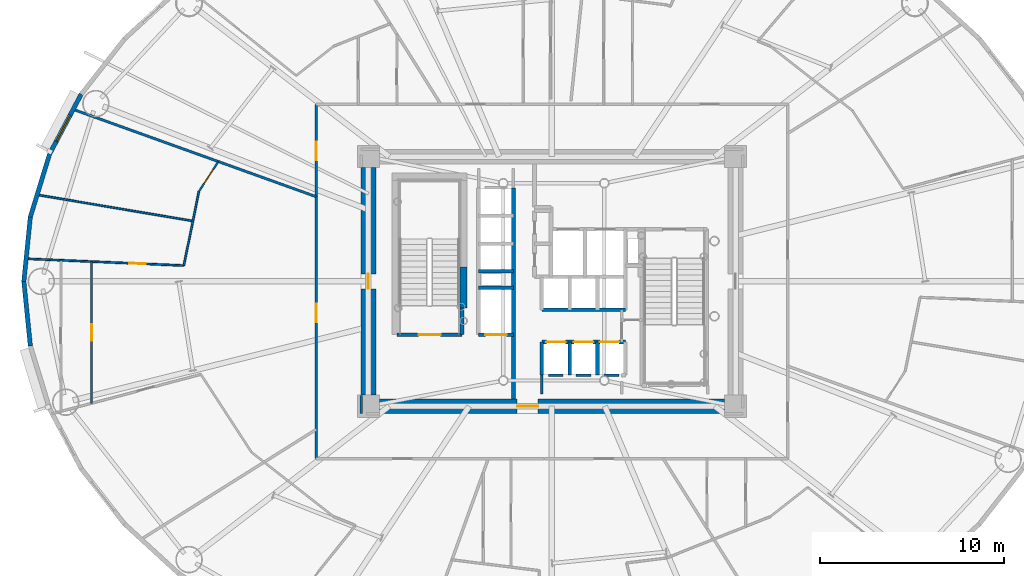
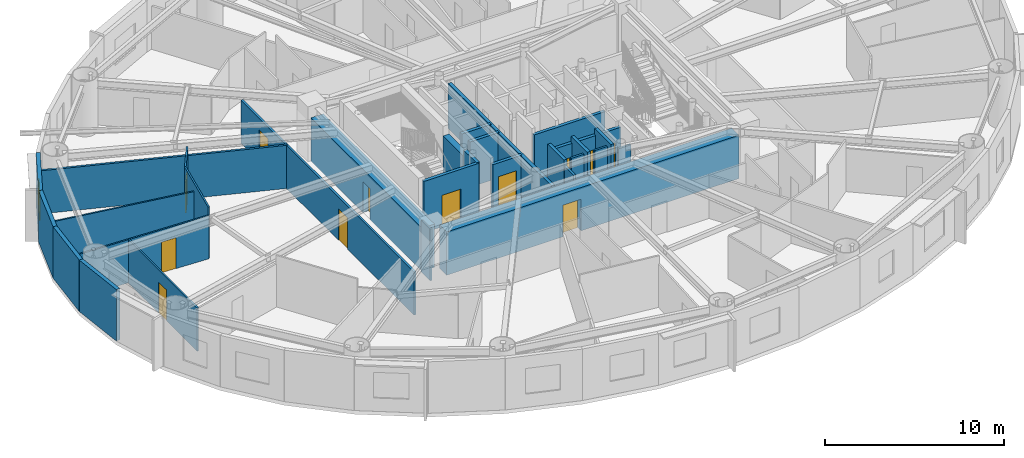
# One storey, part 11 of 21: 30 walls, 12 doors, 1 window, 13 openings.
"""IFC4 building model written with IfcOpenShell, lengths in metres."""

from ifc_helpers import new_model, si_unit, direction, frame, frame_2d, origin, origin_2d, place, context, subcontext, project, spatial, rectangle, extrude, source, transform, mapped, material, layer, layer_set, type_object, element, fill, save


model = new_model("IFC4")

# Units and contexts
model_context = context("Model", 3, precision=1e-05, world=origin(), true_north=direction((0.0, 1.0)))
body_context = subcontext(model_context, "Body", "Model", "MODEL_VIEW")
ifc_project = project(units=[si_unit("LENGTHUNIT", "METRE"), si_unit("AREAUNIT", "SQUARE_METRE"), si_unit("VOLUMEUNIT", "CUBIC_METRE"), si_unit("PLANEANGLEUNIT", "RADIAN"), si_unit("MASSUNIT", "GRAM", prefix="KILO")], contexts=[model_context])

# Site, building, storey
site_placement = place(None, origin())
site = spatial("IfcSite", under=ifc_project, at=site_placement, CompositionType="ELEMENT")
building_placement = place(site_placement, origin())
building = spatial("IfcBuilding", under=site, at=building_placement, Name="Linh Dai School and Residence Tower", CompositionType="ELEMENT")
storey_placement = place(building_placement, frame((0.0, 0.0, 115.949951171875)))
storey = spatial("IfcBuildingStorey", under=building, at=storey_placement, Name="L27", CompositionType="ELEMENT", Elevation=115.949951171875)

# Wall, opening, window
ifc_material_1 = material(Name="Precast Concrete B45 (C35/45)", Category="concrete")
ifc_layer_1 = layer(ifc_material_1, 0.239990234375)
ifc_layer_set_1 = layer_set([ifc_layer_1], Name="Precast Concrete B45 (C35/45)")
wall_type_1 = type_object("IfcWallType", Name="EW-TC-240", PredefinedType="SOLIDWALL", material=ifc_layer_set_1)
wall_1_placement = place(storey_placement, frame((8.6298828125, 33.945068359375, 0.0), z_axis=(0.0, 0.0, 1.0), x_axis=(0.467614004126, 0.883932770716, 0.0)))
wall_1 = element("IfcWall", 1, at=wall_1_placement, inside=storey, type_object=wall_type_1, Name="L27 Terracotta Exterior Wall 18", PredefinedType="SOLIDWALL", context=body_context, shape_type="SweptSolid", body=[
    extrude(rectangle(XDim=3.688720703125, YDim=0.239990234375, at=frame_2d((1.84423828125, 0.0))), origin(), (0.0, 0.0, 1.0), 3.5),
])
opening_1_placement = place(wall_1_placement, frame((0.778076171875, 0.0, 0.89990234375)))
opening_1 = element("IfcOpeningElement", 2, at=opening_1_placement, cuts=wall_1, Name="Opening W2", PredefinedType="OPENING", context=body_context, shape_type="SweptSolid", body=[
    extrude(rectangle(XDim=1.60009765625, YDim=1.75, at=origin_2d()), frame((0.800048828125, 0.1298828125, 0.875), z_axis=(0.0, -1.0, 0.0), x_axis=(1.0, 0.0, 0.0)), (0.0, 0.0, 1.0), 0.260009765625),
])
ifc_material_2 = material(Name="Double Low-E Insulated Glazing", Category="glass")
window_type = type_object("IfcWindowType", Name="WN-RES-1600x1750", PartitioningType="DOUBLE_PANEL_VERTICAL", PredefinedType="WINDOW", material=ifc_material_2)
shared_shape_1 = source(origin(), body_context, "Body", "SweptSolid", [
    extrude(rectangle(XDim=1.60009765625, YDim=1.75, at=origin_2d()), frame((0.800048828125, 0.030029296875, 0.875), z_axis=(0.0, -1.0, 0.0), x_axis=(1.0, 0.0, 0.0)), (0.0, 0.0, 1.0), 0.06005859375),
])
window_placement = place(opening_1_placement, origin())
window = element("IfcWindow", 3, at=window_placement, inside=storey, type_object=window_type, Name="L27 Exterior Window 18.1", OverallHeight=1.75, OverallWidth=1.60009765625, PartitioningType="DOUBLE_PANEL_VERTICAL", PredefinedType="WINDOW", context=body_context, shape_type="MappedRepresentation", body=[
    mapped(shared_shape_1, transform((0.0, 0.0, 0.0), x_axis=(1.0, 0.0, 0.0), y_axis=(0.0, 1.0, 0.0), z_axis=(0.0, 0.0, 1.0), scale=1.0)),
])
fill(opening_1, window)

# Walls
wall_2_placement = place(storey_placement, frame((7.578369140625, 30.515380859375, 0.0), z_axis=(0.0, 0.0, 1.0), x_axis=(0.293124431344, 0.956074300329, 0.0)))
element("IfcWall", 4, at=wall_2_placement, inside=storey, type_object=wall_type_1, Name="L27 Terracotta Exterior Wall 19", PredefinedType="SOLIDWALL", context=body_context, shape_type="SweptSolid", body=[
    extrude(rectangle(XDim=3.587158203125, YDim=0.239990234375, at=frame_2d((1.79345703125, 0.0))), origin(), (0.0, 0.0, 1.0), 3.5),
])
for number, where, z_axis, x_axis, name in (
    (5, (7.22509765625, 27.0, 0.0), (0.0, 0.0, 1.0), (0.099989468229, 0.994988495533, 0.0), "L27 Terracotta Exterior Wall 20"),
    (6, (7.578369140625, 23.484619140625, 0.0), (0.0, 0.0, 1.0), (-0.099989468229, 0.994988495533, 0.0), "L27 Terracotta Exterior Wall 21"),
):
    element("IfcWall", number, at=place(storey_placement, frame(where, z_axis=z_axis, x_axis=x_axis)), inside=storey, type_object=wall_type_1, Name=name, PredefinedType="SOLIDWALL", context=body_context, shape_type="SweptSolid", body=[
        extrude(rectangle(XDim=3.533203125, YDim=0.239990234375, at=frame_2d((1.7666015625, 0.0))), origin(), (0.0, 0.0, 1.0), 3.5),
    ])
ifc_material_3 = material(Name="Autoclaved Aerated Concrete Blockwork", Category="masonry")
ifc_layer_2 = layer(ifc_material_3, 0.135009765625)
ifc_layer_set_2 = layer_set([ifc_layer_2], Name="Autoclaved Aerated Concrete Blockwork")
wall_type_2 = type_object("IfcWallType", Name="IW-CORR-135-EI90", PredefinedType="PARTITIONING", material=ifc_layer_set_2)
wall_3_placement = place(storey_placement, frame((9.90966796875, 36.375, 0.0), z_axis=(0.0, 0.0, 1.0), x_axis=(0.941089213164, -0.338158384292, 0.0)))
element("IfcWall", 7, at=wall_3_placement, inside=storey, type_object=wall_type_2, Name="L27 Interior Partition Wall 005", PredefinedType="PARTITIONING", context=body_context, shape_type="SweptSolid", body=[
    extrude(rectangle(XDim=14.069091796875, YDim=0.135009765625, at=frame_2d((7.03466796875, 0.0))), origin(), (0.0, 0.0, 1.0), 2.93505859375),
])

# Wall, openings, doors
wall_4_placement = place(storey_placement, frame((23.14990234375, 17.35009765625, 0.0), z_axis=(0.0, 0.0, 1.0), x_axis=(0.0, 1.0, 0.0)))
wall_4 = element("IfcWall", 8, at=wall_4_placement, inside=storey, type_object=wall_type_2, Name="L27 Interior Partition Wall 017", PredefinedType="PARTITIONING", context=body_context, shape_type="SweptSolid", body=[
    extrude(rectangle(XDim=19.2998046875, YDim=0.135009765625, at=frame_2d((9.64990234375, 0.0))), origin(), (0.0, 0.0, 1.0), 2.93505859375),
])
opening_2_placement = place(wall_4_placement, frame((16.263671875, 0.0, 0.0)))
opening_2 = element("IfcOpeningElement", 9, at=opening_2_placement, cuts=wall_4, Name="Opening D03", PredefinedType="OPENING", context=body_context, shape_type="SweptSolid", body=[
    extrude(rectangle(XDim=1.0, YDim=2.14990234375, at=origin_2d()), frame((0.5, 0.07763671875, 1.074951171875), z_axis=(0.0, -1.0, 0.0), x_axis=(1.0, 0.0, 0.0)), (0.0, 0.0, 1.0), 0.155029296875),
])
opening_3_placement = place(wall_4_placement, frame((7.425537109375, 0.0, 0.0)))
opening_3 = element("IfcOpeningElement", 10, at=opening_3_placement, cuts=wall_4, Name="Opening D03", PredefinedType="OPENING", context=body_context, shape_type="SweptSolid", body=[
    extrude(rectangle(XDim=1.0, YDim=2.14990234375, at=origin_2d()), frame((0.5, 0.07763671875, 1.074951171875), z_axis=(0.0, -1.0, 0.0), x_axis=(1.0, 0.0, 0.0)), (0.0, 0.0, 1.0), 0.155029296875),
])
ifc_material_4 = material(Name="Fire-Rated Solid Timber Entrance Door", Category="wood")
door_type_1 = type_object("IfcDoorType", Name="DR-FLAT-1000x2150-FD60S", OperationType="NOTDEFINED", PredefinedType="DOOR", material=ifc_material_4)
shared_shape_2 = source(origin(), body_context, "Body", "SweptSolid", [
    extrude(rectangle(XDim=1.0, YDim=2.14990234375, at=origin_2d()), frame((0.5, 0.02490234375, 1.074951171875), z_axis=(0.0, -1.0, 0.0), x_axis=(1.0, 0.0, 0.0)), (0.0, 0.0, 1.0), 0.050048828125),
])
door_1_placement = place(opening_2_placement, origin())
door_1 = element("IfcDoor", 11, at=door_1_placement, inside=storey, type_object=door_type_1, Name="L27 U2702 Apartment Entrance Door", OperationType="SINGLE_SWING_RIGHT", OverallHeight=2.14990234375, OverallWidth=1.0, PredefinedType="DOOR", context=body_context, shape_type="MappedRepresentation", body=[
    mapped(shared_shape_2, transform((0.0, 0.0, 0.0), x_axis=(1.0, 0.0, 0.0), y_axis=(0.0, 1.0, 0.0), z_axis=(0.0, 0.0, 1.0), scale=1.0)),
])
fill(opening_2, door_1)
door_2_placement = place(opening_3_placement, origin())
door_2 = element("IfcDoor", 12, at=door_2_placement, inside=storey, type_object=door_type_1, Name="L27 U2703 Apartment Entrance Door", OperationType="SINGLE_SWING_RIGHT", OverallHeight=2.14990234375, OverallWidth=1.0, PredefinedType="DOOR", context=body_context, shape_type="MappedRepresentation", body=[
    mapped(shared_shape_2, transform((0.0, 0.0, 0.0), x_axis=(1.0, 0.0, 0.0), y_axis=(0.0, 1.0, 0.0), z_axis=(0.0, 0.0, 1.0), scale=1.0)),
])
fill(opening_3, door_2)

# Walls
wall_5_placement = place(storey_placement, frame((36.60009765625, 21.89990234375, 0.0), z_axis=(0.0, 0.0, 1.0), x_axis=(-1.0, 0.0, 0.0)))
element("IfcWall", 13, at=wall_5_placement, inside=storey, type_object=wall_type_2, Name="L27 Interior Partition Wall 100", PredefinedType="PARTITIONING", context=body_context, shape_type="SweptSolid", body=[
    extrude(rectangle(XDim=0.7900390625, YDim=0.135009765625, at=frame_2d((0.39501953125, 0.0))), origin(), (0.0, 0.0, 1.0), 3.5),
])
wall_6_placement = place(storey_placement, frame((38.1201171875, 21.89990234375, 0.0), z_axis=(0.0, 0.0, 1.0), x_axis=(-1.0, 0.0, 0.0)))
element("IfcWall", 14, at=wall_6_placement, inside=storey, type_object=wall_type_2, Name="L27 Interior Partition Wall 101", PredefinedType="PARTITIONING", context=body_context, shape_type="SweptSolid", body=[
    extrude(rectangle(XDim=0.800048828125, YDim=0.135009765625, at=frame_2d((0.39990234375, 0.0))), origin(), (0.0, 0.0, 1.0), 3.5),
])
wall_7_placement = place(storey_placement, frame((39.639892578125, 21.89990234375, 0.0), z_axis=(0.0, 0.0, 1.0), x_axis=(-1.0, 0.0, 0.0)))
element("IfcWall", 15, at=wall_7_placement, inside=storey, type_object=wall_type_2, Name="L27 Interior Partition Wall 102", PredefinedType="PARTITIONING", context=body_context, shape_type="SweptSolid", body=[
    extrude(rectangle(XDim=0.7998046875, YDim=0.135009765625, at=frame_2d((0.39990234375, 0.0))), origin(), (0.0, 0.0, 1.0), 3.0849609375),
])
wall_8_placement = place(storey_placement, frame((35.449951171875, 21.889892578125, 0.0), z_axis=(0.0, 0.0, 1.0), x_axis=(0.0, -1.0, 0.0)))
element("IfcWall", 16, at=wall_8_placement, inside=storey, type_object=wall_type_2, Name="L27 Interior Partition Wall 107", PredefinedType="PARTITIONING", context=body_context, shape_type="SweptSolid", body=[
    extrude(rectangle(XDim=1.02978515625, YDim=0.135009765625, at=frame_2d((0.514892578125, 0.0))), origin(), (0.0, 0.0, 1.0), 3.0849609375),
])
wall_9_placement = place(storey_placement, frame((25.60009765625, 20.7900390625, 0.0), z_axis=(0.0, 0.0, 1.0), x_axis=(0.0, -1.0, 0.0)))
element("IfcWall", 17, at=wall_9_placement, inside=storey, type_object=wall_type_2, Name="L27 Interior Partition Wall 114", PredefinedType="PARTITIONING", context=body_context, shape_type="SweptSolid", body=[
    extrude(rectangle(XDim=0.989990234375, YDim=0.135009765625, at=frame_2d((0.4951171875, 0.0))), origin(), (0.0, 0.0, 1.0), 3.5),
])

# Wall, opening, door
ifc_material_5 = material(Name="Concrete B45 (C35/45)", Category="concrete")
ifc_layer_3 = layer(ifc_material_5, 0.199951171875)
ifc_layer_set_3 = layer_set([ifc_layer_3], Name="Concrete B45 (C35/45)")
wall_type_3 = type_object("IfcWallType", Name="IW-SHAFT-200-EI120", PredefinedType="PARTITIONING", material=ifc_layer_set_3)
wall_10_placement = place(storey_placement, frame((27.56005859375, 24.10009765625, 0.0), z_axis=(0.0, 0.0, 1.0), x_axis=(1.0, 0.0, 0.0)))
wall_10 = element("IfcWall", 18, at=wall_10_placement, inside=storey, type_object=wall_type_3, Name="L27 Interior Partition Wall 025", PredefinedType="PARTITIONING", context=body_context, shape_type="SweptSolid", body=[
    extrude(rectangle(XDim=3.5400390625, YDim=0.199951171875, at=frame_2d((1.77001953125, 0.0))), origin(), (0.0, 0.0, 1.0), 3.5),
])
opening_4_placement = place(wall_10_placement, frame((1.169921875, 0.0, 0.0)))
opening_4 = element("IfcOpeningElement", 19, at=opening_4_placement, cuts=wall_10, Name="Opening D01", PredefinedType="OPENING", context=body_context, shape_type="SweptSolid", body=[
    extrude(rectangle(XDim=1.199951171875, YDim=2.14990234375, at=origin_2d()), frame((0.60009765625, 0.10986328125, 1.074951171875), z_axis=(0.0, -1.0, 0.0), x_axis=(1.0, 0.0, 0.0)), (0.0, 0.0, 1.0), 0.219970703125),
])
ifc_material_6 = material(Name="Fire-Rated Steel Door Leaf", Category="steel")
door_type_2 = type_object("IfcDoorType", Name="DR-STAIR-1200x2150-FD90S", OperationType="NOTDEFINED", PredefinedType="DOOR", material=ifc_material_6)
shared_shape_3 = source(origin(), body_context, "Body", "SweptSolid", [
    extrude(rectangle(XDim=1.199951171875, YDim=2.14990234375, at=origin_2d()), frame((0.60009765625, 0.02490234375, 1.074951171875), z_axis=(0.0, -1.0, 0.0), x_axis=(1.0, 0.0, 0.0)), (0.0, 0.0, 1.0), 0.050048828125),
])
door_3_placement = place(opening_4_placement, origin())
door_3 = element("IfcDoor", 20, at=door_3_placement, inside=storey, type_object=door_type_2, Name="L27 Core Smokeproof Exit Stair ST1 Door", OperationType="SINGLE_SWING_RIGHT", OverallHeight=2.14990234375, OverallWidth=1.199951171875, PredefinedType="DOOR", context=body_context, shape_type="MappedRepresentation", body=[
    mapped(shared_shape_3, transform((0.0, 0.0, 0.0), x_axis=(1.0, 0.0, 0.0), y_axis=(0.0, 1.0, 0.0), z_axis=(0.0, 0.0, 1.0), scale=1.0)),
])
fill(opening_4, door_3)

# Wall
wall_11_placement = place(storey_placement, frame((31.10009765625, 24.10009765625, 0.0), z_axis=(0.0, 0.0, 1.0), x_axis=(0.0, 1.0, 0.0)))
element("IfcWall", 21, at=wall_11_placement, inside=storey, type_object=wall_type_3, Name="L27 Interior Partition Wall 029", PredefinedType="PARTITIONING", context=body_context, shape_type="SweptSolid", body=[
    extrude(rectangle(XDim=1.43994140625, YDim=0.199951171875, at=frame_2d((0.719970703125, 0.0))), origin(), (0.0, 0.0, 1.0), 3.5),
])

# Wall, opening, door
wall_12_placement = place(storey_placement, frame((32.0, 24.10009765625, 0.0), z_axis=(0.0, 0.0, 1.0), x_axis=(1.0, 0.0, 0.0)))
wall_12 = element("IfcWall", 22, at=wall_12_placement, inside=storey, type_object=wall_type_3, Name="L27 Interior Partition Wall 031", PredefinedType="PARTITIONING", context=body_context, shape_type="SweptSolid", body=[
    extrude(rectangle(XDim=1.89990234375, YDim=0.199951171875, at=frame_2d((0.949951171875, 0.0))), origin(), (0.0, 0.0, 1.0), 3.0849609375),
])
opening_5_placement = place(wall_12_placement, frame((0.375, 0.0, 0.0)))
opening_5 = element("IfcOpeningElement", 23, at=opening_5_placement, cuts=wall_12, Name="Opening LD-FF2", PredefinedType="OPENING", context=body_context, shape_type="SweptSolid", body=[
    extrude(rectangle(XDim=1.14990234375, YDim=2.14990234375, at=origin_2d()), frame((0.574951171875, 0.10986328125, 1.074951171875), z_axis=(0.0, -1.0, 0.0), x_axis=(1.0, 0.0, 0.0)), (0.0, 0.0, 1.0), 0.219970703125),
])
ifc_material_7 = material(Name="Fire-Rated Stainless Steel Firefighting Lift Door", Category="steel")
door_type_3 = type_object("IfcDoorType", Name="DR-LD-FF-1150x2150-FD120", OperationType="DOUBLE_DOOR_SLIDING", PredefinedType="USERDEFINED", material=ifc_material_7)
shared_shape_4 = source(origin(), body_context, "Body", "SweptSolid", [
    extrude(rectangle(XDim=1.14990234375, YDim=2.14990234375, at=origin_2d()), frame((0.574951171875, 0.02490234375, 1.074951171875), z_axis=(0.0, -1.0, 0.0), x_axis=(1.0, 0.0, 0.0)), (0.0, 0.0, 1.0), 0.050048828125),
])
door_4_placement = place(opening_5_placement, origin())
door_4 = element("IfcDoor", 24, at=door_4_placement, inside=storey, type_object=door_type_3, Name="L27 Lift FF2 Sliding Landing Door", ObjectType="LANDING DOOR", OperationType="DOUBLE_DOOR_SLIDING", OverallHeight=2.14990234375, OverallWidth=1.14990234375, PredefinedType="USERDEFINED", context=body_context, shape_type="MappedRepresentation", body=[
    mapped(shared_shape_4, transform((0.0, 0.0, 0.0), x_axis=(1.0, 0.0, 0.0), y_axis=(0.0, 1.0, 0.0), z_axis=(0.0, 0.0, 1.0), scale=1.0)),
])
fill(opening_5, door_4)

# Walls
for number, where, z_axis, x_axis, name in (
    (25, (32.0, 26.64990234375, 0.0), (0.0, 0.0, 1.0), (1.0, 0.0, 0.0), "L27 Interior Partition Wall 032"),
    (26, (32.0, 27.550048828125, 0.0), (0.0, 0.0, 1.0), (1.0, 0.0, 0.0), "L27 Interior Partition Wall 033"),
):
    element("IfcWall", number, at=place(storey_placement, frame(where, z_axis=z_axis, x_axis=x_axis)), inside=storey, type_object=wall_type_3, Name=name, PredefinedType="PARTITIONING", context=body_context, shape_type="SweptSolid", body=[
        extrude(rectangle(XDim=1.89990234375, YDim=0.199951171875, at=frame_2d((0.949951171875, 0.0))), origin(), (0.0, 0.0, 1.0), 3.0849609375),
    ])
wall_13_placement = place(storey_placement, frame((33.89990234375, 20.60009765625, 0.0), z_axis=(0.0, 0.0, 1.0), x_axis=(0.0, 1.0, 0.0)))
element("IfcWall", 27, at=wall_13_placement, inside=storey, type_object=wall_type_3, Name="L27 Interior Partition Wall 039", PredefinedType="PARTITIONING", context=body_context, shape_type="SweptSolid", body=[
    extrude(rectangle(XDim=11.5, YDim=0.199951171875, at=frame_2d((5.75, 0.0))), origin(), (0.0, 0.0, 1.0), 3.0849609375),
])
wall_14_placement = place(storey_placement, frame((35.449951171875, 21.89990234375, 0.0), z_axis=(0.0, 0.0, 1.0), x_axis=(0.0, 1.0, 0.0)))
element("IfcWall", 28, at=wall_14_placement, inside=storey, type_object=wall_type_3, Name="L27 Interior Partition Wall 048", PredefinedType="PARTITIONING", context=body_context, shape_type="SweptSolid", body=[
    extrude(rectangle(XDim=1.800048828125, YDim=0.199951171875, at=frame_2d((0.89990234375, 0.0))), origin(), (0.0, 0.0, 1.0), 3.5),
])

# Wall, openings, doors
wall_15_placement = place(storey_placement, frame((35.449951171875, 23.699951171875, 0.0), z_axis=(0.0, 0.0, 1.0), x_axis=(1.0, 0.0, 0.0)))
wall_15 = element("IfcWall", 29, at=wall_15_placement, inside=storey, type_object=wall_type_3, Name="L27 Interior Partition Wall 049", PredefinedType="PARTITIONING", context=body_context, shape_type="SweptSolid", body=[
    extrude(rectangle(XDim=4.550048828125, YDim=0.199951171875, at=frame_2d((2.27490234375, 0.0))), origin(), (0.0, 0.0, 1.0), 3.0849609375),
])
opening_6_placement = place(wall_15_placement, frame((0.25, 0.0, 0.0)))
opening_6 = element("IfcOpeningElement", 30, at=opening_6_placement, cuts=wall_15, Name="Opening LD-PL1", PredefinedType="OPENING", context=body_context, shape_type="SweptSolid", body=[
    extrude(rectangle(XDim=1.050048828125, YDim=2.14990234375, at=origin_2d()), frame((0.52490234375, 0.10986328125, 1.074951171875), z_axis=(0.0, -1.0, 0.0), x_axis=(1.0, 0.0, 0.0)), (0.0, 0.0, 1.0), 0.219970703125),
])
opening_7_placement = place(wall_15_placement, frame((1.7451171875, 0.0, 0.0)))
opening_7 = element("IfcOpeningElement", 31, at=opening_7_placement, cuts=wall_15, Name="Opening LD-PL2", PredefinedType="OPENING", context=body_context, shape_type="SweptSolid", body=[
    extrude(rectangle(XDim=1.050048828125, YDim=2.14990234375, at=origin_2d()), frame((0.52490234375, 0.10986328125, 1.074951171875), z_axis=(0.0, -1.0, 0.0), x_axis=(1.0, 0.0, 0.0)), (0.0, 0.0, 1.0), 0.219970703125),
])
opening_8_placement = place(wall_15_placement, frame((3.1650390625, 0.0, 0.0)))
opening_8 = element("IfcOpeningElement", 32, at=opening_8_placement, cuts=wall_15, Name="Opening LD-PL3", PredefinedType="OPENING", context=body_context, shape_type="SweptSolid", body=[
    extrude(rectangle(XDim=1.050048828125, YDim=2.14990234375, at=origin_2d()), frame((0.52490234375, 0.10986328125, 1.074951171875), z_axis=(0.0, -1.0, 0.0), x_axis=(1.0, 0.0, 0.0)), (0.0, 0.0, 1.0), 0.219970703125),
])
ifc_material_8 = material(Name="Brushed Stainless Steel Lift Landing Door", Category="steel")
door_type_4 = type_object("IfcDoorType", Name="DR-LD-PASS-1050x2150", OperationType="DOUBLE_DOOR_SLIDING", PredefinedType="USERDEFINED", material=ifc_material_8)
shared_shape_5 = source(origin(), body_context, "Body", "SweptSolid", [
    extrude(rectangle(XDim=1.050048828125, YDim=2.14990234375, at=origin_2d()), frame((0.52490234375, 0.02490234375, 1.074951171875), z_axis=(0.0, -1.0, 0.0), x_axis=(1.0, 0.0, 0.0)), (0.0, 0.0, 1.0), 0.050048828125),
])
door_5_placement = place(opening_6_placement, origin())
door_5 = element("IfcDoor", 33, at=door_5_placement, inside=storey, type_object=door_type_4, Name="L27 Lift PL1 Sliding Landing Door", ObjectType="LANDING DOOR", OperationType="DOUBLE_DOOR_SLIDING", OverallHeight=2.14990234375, OverallWidth=1.050048828125, PredefinedType="USERDEFINED", context=body_context, shape_type="MappedRepresentation", body=[
    mapped(shared_shape_5, transform((0.0, 0.0, 0.0), x_axis=(1.0, 0.0, 0.0), y_axis=(0.0, 1.0, 0.0), z_axis=(0.0, 0.0, 1.0), scale=1.0)),
])
fill(opening_6, door_5)
door_6_placement = place(opening_7_placement, origin())
door_6 = element("IfcDoor", 34, at=door_6_placement, inside=storey, type_object=door_type_4, Name="L27 Lift PL2 Sliding Landing Door", ObjectType="LANDING DOOR", OperationType="DOUBLE_DOOR_SLIDING", OverallHeight=2.14990234375, OverallWidth=1.050048828125, PredefinedType="USERDEFINED", context=body_context, shape_type="MappedRepresentation", body=[
    mapped(shared_shape_5, transform((0.0, 0.0, 0.0), x_axis=(1.0, 0.0, 0.0), y_axis=(0.0, 1.0, 0.0), z_axis=(0.0, 0.0, 1.0), scale=1.0)),
])
fill(opening_7, door_6)
door_7_placement = place(opening_8_placement, origin())
door_7 = element("IfcDoor", 35, at=door_7_placement, inside=storey, type_object=door_type_4, Name="L27 Lift PL3 Sliding Landing Door", ObjectType="LANDING DOOR", OperationType="DOUBLE_DOOR_SLIDING", OverallHeight=2.14990234375, OverallWidth=1.050048828125, PredefinedType="USERDEFINED", context=body_context, shape_type="MappedRepresentation", body=[
    mapped(shared_shape_5, transform((0.0, 0.0, 0.0), x_axis=(1.0, 0.0, 0.0), y_axis=(0.0, 1.0, 0.0), z_axis=(0.0, 0.0, 1.0), scale=1.0)),
])
fill(opening_8, door_7)

# Walls
wall_16_placement = place(storey_placement, frame((35.449951171875, 25.449951171875, 0.0), z_axis=(0.0, 0.0, 1.0), x_axis=(1.0, 0.0, 0.0)))
element("IfcWall", 36, at=wall_16_placement, inside=storey, type_object=wall_type_3, Name="L27 Interior Partition Wall 051", PredefinedType="PARTITIONING", context=body_context, shape_type="SweptSolid", body=[
    extrude(rectangle(XDim=4.550048828125, YDim=0.199951171875, at=frame_2d((2.27490234375, 0.0))), origin(), (0.0, 0.0, 1.0), 3.0849609375),
])
for number, where, z_axis, x_axis, name in (
    (37, (36.9599609375, 21.89990234375, 0.0), (0.0, 0.0, 1.0), (0.0, 1.0, 0.0), "L27 Interior Partition Wall 057"),
    (38, (38.47998046875, 21.89990234375, 0.0), (0.0, 0.0, 1.0), (0.0, 1.0, 0.0), "L27 Interior Partition Wall 062"),
):
    element("IfcWall", number, at=place(storey_placement, frame(where, z_axis=z_axis, x_axis=x_axis)), inside=storey, type_object=wall_type_3, Name=name, PredefinedType="PARTITIONING", context=body_context, shape_type="SweptSolid", body=[
        extrude(rectangle(XDim=1.800048828125, YDim=0.199951171875, at=frame_2d((0.89990234375, 0.0))), origin(), (0.0, 0.0, 1.0), 3.5),
    ])

# Wall, opening, door
ifc_material_9 = material(Name="Gypsum Plasterboard Acoustic Stud Partition", Category="masonry")
ifc_layer_4 = layer(ifc_material_9, 0.10009765625)
ifc_layer_set_4 = layer_set([ifc_layer_4], Name="Gypsum Plasterboard Acoustic Stud Partition")
wall_type_4 = type_object("IfcWallType", Name="IW-UNIT-100", PredefinedType="PARTITIONING", material=ifc_layer_set_4)
wall_17_placement = place(storey_placement, frame((7.34423828125, 28.236328125, 0.0), z_axis=(0.0, 0.0, 1.0), x_axis=(0.9990704445, -0.043107388317, 0.0)))
wall_17 = element("IfcWall", 39, at=wall_17_placement, inside=storey, type_object=wall_type_4, Name="L27 Interior Partition Wall 001", PredefinedType="PARTITIONING", context=body_context, shape_type="SweptSolid", body=[
    extrude(rectangle(XDim=8.608642578125, YDim=0.10009765625, at=frame_2d((4.30419921875, 0.0))), origin(), (0.0, 0.0, 1.0), 2.93505859375),
])
opening_9_placement = place(wall_17_placement, frame((5.62109375, 0.0, 0.0)))
opening_9 = element("IfcOpeningElement", 40, at=opening_9_placement, cuts=wall_17, Name="Opening D05", PredefinedType="OPENING", context=body_context, shape_type="SweptSolid", body=[
    extrude(rectangle(XDim=0.89990234375, YDim=2.10009765625, at=origin_2d()), frame((0.449951171875, 0.06005859375, 1.050048828125), z_axis=(0.0, -1.0, 0.0), x_axis=(1.0, 0.0, 0.0)), (0.0, 0.0, 1.0), 0.1201171875),
])
ifc_material_10 = material(Name="Engineered Timber Internal Door", Category="wood")
door_type_5 = type_object("IfcDoorType", Name="DR-INT-900x2100", OperationType="NOTDEFINED", PredefinedType="DOOR", material=ifc_material_10)
shared_shape_6 = source(origin(), body_context, "Body", "SweptSolid", [
    extrude(rectangle(XDim=0.89990234375, YDim=2.10009765625, at=origin_2d()), frame((0.449951171875, 0.02490234375, 1.050048828125), z_axis=(0.0, -1.0, 0.0), x_axis=(1.0, 0.0, 0.0)), (0.0, 0.0, 1.0), 0.050048828125),
])
door_8_placement = place(opening_9_placement, origin())
door_8 = element("IfcDoor", 41, at=door_8_placement, inside=storey, type_object=door_type_5, Name="L27 Apartment U2703 Study Door", OperationType="SINGLE_SWING_RIGHT", OverallHeight=2.10009765625, OverallWidth=0.89990234375, PredefinedType="DOOR", context=body_context, shape_type="MappedRepresentation", body=[
    mapped(shared_shape_6, transform((0.0, 0.0, 0.0), x_axis=(1.0, 0.0, 0.0), y_axis=(0.0, 1.0, 0.0), z_axis=(0.0, 0.0, 1.0), scale=1.0)),
])
fill(opening_9, door_8)

# Wall
wall_18_placement = place(storey_placement, frame((7.94287109375, 31.720947265625, 0.0), z_axis=(0.0, 0.0, 1.0), x_axis=(0.986139151265, -0.165920385556, 0.0)))
element("IfcWall", 42, at=wall_18_placement, inside=storey, type_object=wall_type_4, Name="L27 Interior Partition Wall 002", PredefinedType="PARTITIONING", context=body_context, shape_type="SweptSolid", body=[
    extrude(rectangle(XDim=8.6123046875, YDim=0.10009765625, at=frame_2d((4.30615234375, 0.0))), origin(), (0.0, 0.0, 1.0), 2.93505859375),
])

# Wall, opening, door
wall_19_placement = place(storey_placement, frame((10.91455078125, 20.361083984375, 0.0), z_axis=(0.0, 0.0, 1.0), x_axis=(0.0, 1.0, 0.0)))
wall_19 = element("IfcWall", 43, at=wall_19_placement, inside=storey, type_object=wall_type_4, Name="L27 Interior Partition Wall 006", PredefinedType="PARTITIONING", context=body_context, shape_type="SweptSolid", body=[
    extrude(rectangle(XDim=7.72119140625, YDim=0.10009765625, at=frame_2d((3.860595703125, 0.0))), origin(), (0.0, 0.0, 1.0), 2.93505859375),
])
opening_10_placement = place(wall_19_placement, frame((3.41064453125, 0.0, 0.0)))
opening_10 = element("IfcOpeningElement", 44, at=opening_10_placement, cuts=wall_19, Name="Opening D05", PredefinedType="OPENING", context=body_context, shape_type="SweptSolid", body=[
    extrude(rectangle(XDim=0.89990234375, YDim=2.10009765625, at=origin_2d()), frame((0.449951171875, 0.06005859375, 1.050048828125), z_axis=(0.0, -1.0, 0.0), x_axis=(1.0, 0.0, 0.0)), (0.0, 0.0, 1.0), 0.1201171875),
])
door_9_placement = place(opening_10_placement, origin())
door_9 = element("IfcDoor", 45, at=door_9_placement, inside=storey, type_object=door_type_5, Name="L27 Apartment U2703 Kitchen Door", OperationType="SINGLE_SWING_RIGHT", OverallHeight=2.10009765625, OverallWidth=0.89990234375, PredefinedType="DOOR", context=body_context, shape_type="MappedRepresentation", body=[
    mapped(shared_shape_6, transform((0.0, 0.0, 0.0), x_axis=(1.0, 0.0, 0.0), y_axis=(0.0, 1.0, 0.0), z_axis=(0.0, 0.0, 1.0), scale=1.0)),
])
fill(opening_10, door_9)

# Wall
wall_20_placement = place(storey_placement, frame((15.945068359375, 27.865234375, 0.0), z_axis=(0.0, 0.0, 1.0), x_axis=(0.198216891741, 0.980158183065, 0.0)))
element("IfcWall", 46, at=wall_20_placement, inside=storey, type_object=wall_type_4, Name="L27 Interior Partition Wall 008", PredefinedType="PARTITIONING", context=body_context, shape_type="SweptSolid", body=[
    extrude(rectangle(XDim=4.111328125, YDim=0.10009765625, at=frame_2d((2.0556640625, 0.0))), origin(), (0.0, 0.0, 1.0), 3.5),
])

# Wall, opening, door
wall_21_placement = place(storey_placement, frame((16.760009765625, 31.89501953125, 0.0), z_axis=(0.0, 0.0, 1.0), x_axis=(0.545370803514, 0.838194897786, 0.0)))
wall_21 = element("IfcWall", 47, at=wall_21_placement, inside=storey, type_object=wall_type_4, Name="L27 Interior Partition Wall 010", PredefinedType="PARTITIONING", context=body_context, shape_type="SweptSolid", body=[
    extrude(rectangle(XDim=1.951904296875, YDim=0.10009765625, at=frame_2d((0.97607421875, 0.0))), origin(), (0.0, 0.0, 1.0), 3.5),
])
opening_11_placement = place(wall_21_placement, frame((0.52587890625, 0.0, 0.0)))
opening_11 = element("IfcOpeningElement", 48, at=opening_11_placement, cuts=wall_21, Name="Opening D05", PredefinedType="OPENING", context=body_context, shape_type="SweptSolid", body=[
    extrude(rectangle(XDim=0.89990234375, YDim=2.10009765625, at=origin_2d()), frame((0.449951171875, 0.06005859375, 1.050048828125), z_axis=(0.0, -1.0, 0.0), x_axis=(1.0, 0.0, 0.0)), (0.0, 0.0, 1.0), 0.1201171875),
])
door_10_placement = place(opening_11_placement, origin())
door_10 = element("IfcDoor", 49, at=door_10_placement, inside=storey, type_object=door_type_5, Name="L27 Apartment U2703 Principal Bedroom 1 Door", OperationType="SINGLE_SWING_LEFT", OverallHeight=2.10009765625, OverallWidth=0.89990234375, PredefinedType="DOOR", context=body_context, shape_type="MappedRepresentation", body=[
    mapped(shared_shape_6, transform((0.0, 0.0, 0.0), x_axis=(1.0, 0.0, 0.0), y_axis=(0.0, 1.0, 0.0), z_axis=(0.0, 0.0, 1.0), scale=1.0)),
])
fill(opening_11, door_10)

# Wall
ifc_layer_5 = layer(ifc_material_5, 0.39990234375)
ifc_layer_set_5 = layer_set([ifc_layer_5], Name="Concrete B45 (C35/45)")
wall_type_5 = type_object("IfcWallType", Name="WL-CORE400", PredefinedType="SHEAR", material=ifc_layer_set_5)
wall_22_placement = place(storey_placement, frame((31.179931640625, 25.550048828125, 0.0), z_axis=(0.0, 0.0, 1.0), x_axis=(0.0, 1.0, 0.0)))
element("IfcWall", 50, at=wall_22_placement, inside=storey, type_object=wall_type_5, Name="L27 Internal Core Shear Wall IW", PredefinedType="SHEAR", context=body_context, shape_type="SweptSolid", body=[
    extrude(rectangle(XDim=2.25, YDim=0.39990234375, at=frame_2d((1.125, 0.0))), origin(), (0.0, 0.0, 1.0), 3.10009765625),
])

# Wall, opening, door
ifc_material_11 = material(Name="Concrete B60 (C50/60)", Category="concrete")
ifc_layer_6 = layer(ifc_material_11, 0.800048828125)
ifc_layer_set_6 = layer_set([ifc_layer_6], Name="Concrete B60 (C50/60)")
wall_type_6 = type_object("IfcWallType", Name="WL-CORE800", PredefinedType="SHEAR", material=ifc_layer_set_6)
wall_23_placement = place(storey_placement, frame((45.39990234375, 20.199951171875, 0.0), z_axis=(0.0, 0.0, 1.0), x_axis=(-1.0, 0.0, 0.0)))
wall_23 = element("IfcWall", 51, at=wall_23_placement, inside=storey, type_object=wall_type_6, Name="L27 Central Core Shear Wall S", PredefinedType="SHEAR", context=body_context, shape_type="SweptSolid", body=[
    extrude(rectangle(XDim=18.7998046875, YDim=0.800048828125, at=frame_2d((9.39990234375, 0.0))), origin(), (0.0, 0.0, 1.0), 2.949951171875),
])
opening_12_placement = place(wall_23_placement, frame((10.14990234375, 0.0, 0.0)))
opening_12 = element("IfcOpeningElement", 52, at=opening_12_placement, cuts=wall_23, Name="Opening D02", PredefinedType="OPENING", context=body_context, shape_type="SweptSolid", body=[
    extrude(rectangle(XDim=1.14990234375, YDim=2.14990234375, at=origin_2d()), frame((0.574951171875, 0.41015625, 1.074951171875), z_axis=(0.0, -1.0, 0.0), x_axis=(1.0, 0.0, 0.0)), (0.0, 0.0, 1.0), 0.820068359375),
])
ifc_material_12 = material(Name="Fire-Rated Glazed Steel Lobby Door", Category="steel")
door_type_6 = type_object("IfcDoorType", Name="DR-LOBBY-1150x2150-FD90S", OperationType="NOTDEFINED", PredefinedType="DOOR", material=ifc_material_12)
shared_shape_7 = source(origin(), body_context, "Body", "SweptSolid", [
    extrude(rectangle(XDim=1.14990234375, YDim=2.14990234375, at=origin_2d()), frame((0.574951171875, 0.02490234375, 1.074951171875), z_axis=(0.0, -1.0, 0.0), x_axis=(1.0, 0.0, 0.0)), (0.0, 0.0, 1.0), 0.050048828125),
])
door_11_placement = place(opening_12_placement, origin())
door_11 = element("IfcDoor", 53, at=door_11_placement, inside=storey, type_object=door_type_6, Name="L27 Passenger Foyer Access Door", OperationType="SINGLE_SWING_LEFT", OverallHeight=2.14990234375, OverallWidth=1.14990234375, PredefinedType="DOOR", context=body_context, shape_type="MappedRepresentation", body=[
    mapped(shared_shape_7, transform((0.0, 0.0, 0.0), x_axis=(1.0, 0.0, 0.0), y_axis=(0.0, 1.0, 0.0), z_axis=(0.0, 0.0, 1.0), scale=1.0)),
])
fill(opening_12, door_11)

wall_24_placement = place(storey_placement, frame((26.0, 20.800048828125, 0.0), z_axis=(0.0, 0.0, 1.0), x_axis=(0.0, 1.0, 0.0)))
wall_24 = element("IfcWall", 54, at=wall_24_placement, inside=storey, type_object=wall_type_6, Name="L27 Central Core Shear Wall W", PredefinedType="SHEAR", context=body_context, shape_type="SweptSolid", body=[
    extrude(rectangle(XDim=12.39990234375, YDim=0.800048828125, at=frame_2d((6.199951171875, 0.0))), origin(), (0.0, 0.0, 1.0), 2.949951171875),
])
opening_13_placement = place(wall_24_placement, frame((5.7900390625, 0.0, 0.0)))
opening_13 = element("IfcOpeningElement", 55, at=opening_13_placement, cuts=wall_24, Name="Opening D06", PredefinedType="OPENING", context=body_context, shape_type="SweptSolid", body=[
    extrude(rectangle(XDim=0.820068359375, YDim=2.10009765625, at=origin_2d()), frame((0.41015625, 0.41015625, 1.050048828125), z_axis=(0.0, -1.0, 0.0), x_axis=(1.0, 0.0, 0.0)), (0.0, 0.0, 1.0), 0.820068359375),
])
ifc_material_13 = material(Name="Moisture-Resistant Timber Bathroom Door", Category="wood")
door_type_7 = type_object("IfcDoorType", Name="DR-WET-820x2100", OperationType="NOTDEFINED", PredefinedType="DOOR", material=ifc_material_13)
shared_shape_8 = source(origin(), body_context, "Body", "SweptSolid", [
    extrude(rectangle(XDim=0.820068359375, YDim=2.10009765625, at=origin_2d()), frame((0.41015625, 0.02490234375, 1.050048828125), z_axis=(0.0, -1.0, 0.0), x_axis=(1.0, 0.0, 0.0)), (0.0, 0.0, 1.0), 0.050048828125),
])
door_12_placement = place(opening_13_placement, origin())
door_12 = element("IfcDoor", 56, at=door_12_placement, inside=storey, type_object=door_type_7, Name="L27 Firefighting Lobby Door", OperationType="SINGLE_SWING_LEFT", OverallHeight=2.10009765625, OverallWidth=0.820068359375, PredefinedType="DOOR", context=body_context, shape_type="MappedRepresentation", body=[
    mapped(shared_shape_8, transform((0.0, 0.0, 0.0), x_axis=(1.0, 0.0, 0.0), y_axis=(0.0, 1.0, 0.0), z_axis=(0.0, 0.0, 1.0), scale=1.0)),
])
fill(opening_13, door_12)

save(model, "model.ifc")
